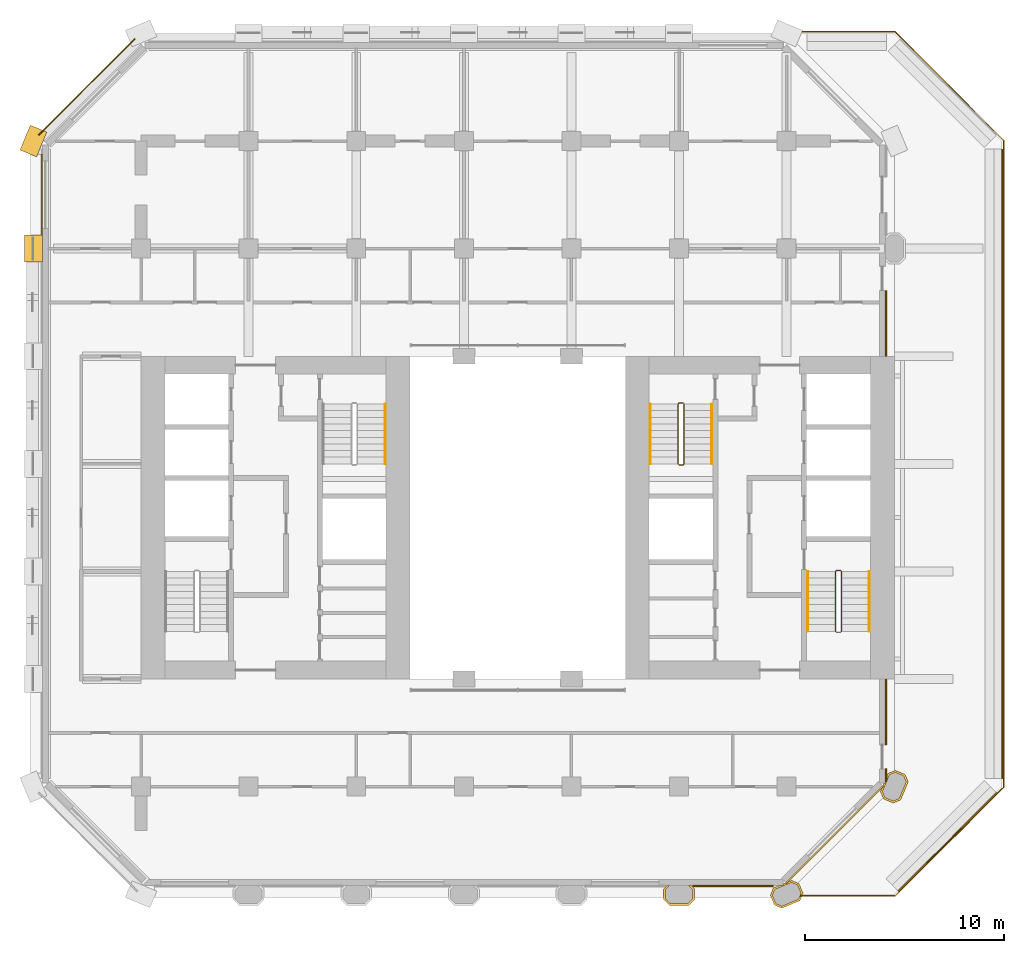
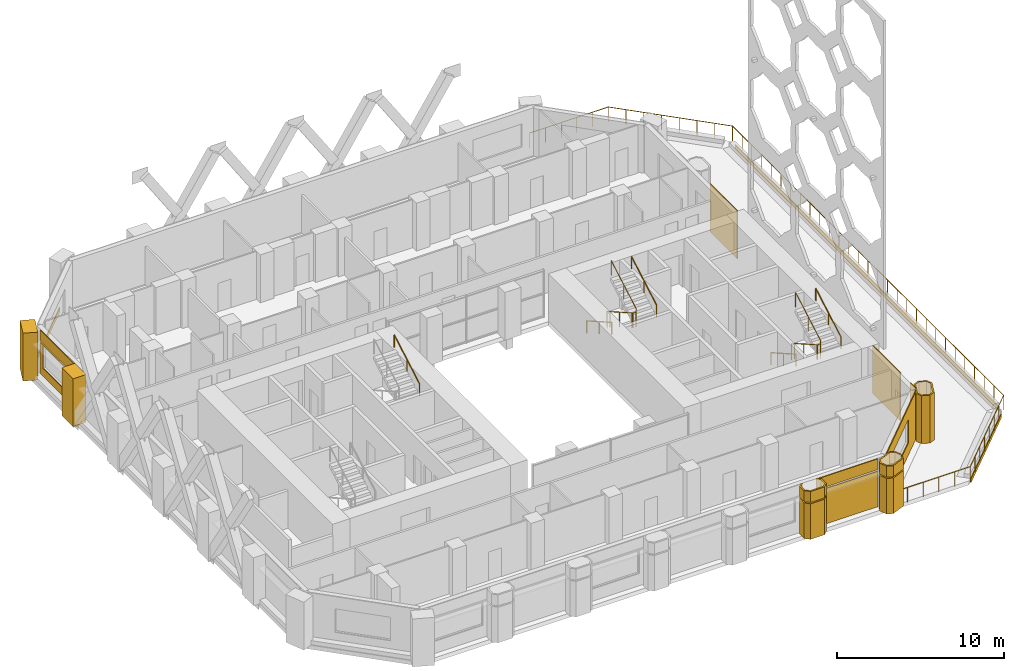
# One storey, part 13 of 14: 18 coverings, 8 railings.
"""IFC4 building model written with IfcOpenShell, lengths in metres."""

from ifc_helpers import new_model, si_unit, direction, frame, frame_2d, origin, origin_2d, place, context, subcontext, project, spatial, polyline, rectangle, circle, outline, extrude, material, layer, layer_set, type_object, element, save


model = new_model("IFC4")

# Units and contexts
model_context = context("Model", 3, precision=1e-05, world=origin(), true_north=direction((0.0, 1.0)))
body_context = subcontext(model_context, "Body", "Model", "MODEL_VIEW")
ifc_project = project(units=[si_unit("LENGTHUNIT", "METRE"), si_unit("AREAUNIT", "SQUARE_METRE"), si_unit("VOLUMEUNIT", "CUBIC_METRE"), si_unit("PLANEANGLEUNIT", "RADIAN"), si_unit("MASSUNIT", "GRAM", prefix="KILO")], contexts=[model_context])

# Site, building, storey
site_placement = place(None, origin())
site = spatial("IfcSite", under=ifc_project, at=site_placement, CompositionType="ELEMENT")
building_placement = place(site_placement, origin())
building = spatial("IfcBuilding", under=site, at=building_placement, Name="Tabaq Tower and Sports Hall", CompositionType="ELEMENT")
storey_placement = place(building_placement, frame((0.0, 0.0, 95.39990234375)))
storey = spatial("IfcBuildingStorey", under=building, at=storey_placement, Name="L22", CompositionType="ELEMENT", Elevation=95.39990234375)

# Coverings
ifc_material_1 = material(Name="Precast concrete C60/75", Category="concrete")
ifc_layer_1 = layer(ifc_material_1, 0.10009765625)
ifc_layer_set_1 = layer_set([ifc_layer_1], Name="Column cladding 100")
covering_type_1 = type_object("IfcCoveringType", Name="Column cladding 100", PredefinedType="CLADDING", material=ifc_layer_set_1)
covering_1_placement = place(storey_placement, origin())
element("IfcCovering", 1, at=covering_1_placement, inside=storey, type_object=covering_type_1, Name="Column cladding L22 PC-7B-O3", PredefinedType="CLADDING", context=body_context, shape_type="SweptSolid", body=[
    extrude(outline(polyline([(31.625244140625, 5.666259765625), (31.80859375, 5.849609375), (31.94921875, 5.849609375), (31.724609375, 5.625244140625), (31.724609375, 5.1748046875), (31.949951171875, 4.94970703125), (32.85009765625, 4.94970703125), (33.0751953125, 5.1748046875), (33.0751953125, 5.625244140625), (32.850830078125, 5.849609375), (32.9912109375, 5.849609375), (33.1748046875, 5.666259765625), (33.1748046875, 5.1337890625), (32.891357421875, 4.850341796875), (31.90869140625, 4.850341796875), (31.625244140625, 5.1337890625), (31.625244140625, 5.666259765625)])), origin(), (0.0, 0.0, 1.0), 2.60009765625),
])
covering_2_placement = place(storey_placement, frame((0.0, 0.0, 2.7001953125)))
element("IfcCovering", 2, at=covering_2_placement, inside=storey, type_object=covering_type_1, Name="Column cladding L22 PC-7B-O3 2", PredefinedType="CLADDING", context=body_context, shape_type="SweptSolid", body=[
    extrude(outline(polyline([(31.625244140625, 5.666259765625), (31.80859375, 5.849609375), (31.94921875, 5.849609375), (31.724609375, 5.625244140625), (31.724609375, 5.1748046875), (31.949951171875, 4.94970703125), (32.85009765625, 4.94970703125), (33.0751953125, 5.1748046875), (33.0751953125, 5.625244140625), (32.850830078125, 5.849609375), (32.9912109375, 5.849609375), (33.1748046875, 5.666259765625), (33.1748046875, 5.1337890625), (32.891357421875, 4.850341796875), (31.90869140625, 4.850341796875), (31.625244140625, 5.1337890625), (31.625244140625, 5.666259765625)])), origin(), (0.0, 0.0, 1.0), 0.7998046875),
])
covering_3_placement = place(storey_placement, origin())
element("IfcCovering", 3, at=covering_3_placement, inside=storey, type_object=covering_type_1, Name="Column cladding L22 PC-8B-O3", PredefinedType="CLADDING", context=body_context, shape_type="SweptSolid", body=[
    extrude(outline(polyline([(36.982421875, 5.349609375), (37.1357421875, 5.7197265625), (37.44921875, 5.849609375), (37.614013671875, 5.849609375), (37.614013671875, 5.91796875), (37.767578125, 5.9814453125), (37.799072265625, 5.9501953125), (37.875, 6.026123046875), (38.04345703125, 6.095947265625), (38.413818359375, 5.9423828125), (38.61767578125, 5.450439453125), (38.580322265625, 5.3603515625), (38.47265625, 5.3603515625), (38.510009765625, 5.450439453125), (38.337646484375, 5.866455078125), (38.04345703125, 5.98828125), (37.2119140625, 5.643798828125), (37.08984375, 5.349609375), (37.26220703125, 4.93359375), (37.556396484375, 4.811767578125), (38.38818359375, 5.15625), (38.439208984375, 5.27978515625), (38.546875, 5.27978515625), (38.46435546875, 5.080078125), (37.556396484375, 4.7041015625), (37.186279296875, 4.857421875), (36.982421875, 5.349609375)])), origin(), (0.0, 0.0, 1.0), 2.60009765625),
])
covering_4_placement = place(storey_placement, frame((0.0, 0.0, 2.7001953125)))
element("IfcCovering", 4, at=covering_4_placement, inside=storey, type_object=covering_type_1, Name="Column cladding L22 PC-8B-O3 2", PredefinedType="CLADDING", context=body_context, shape_type="SweptSolid", body=[
    extrude(outline(polyline([(36.982421875, 5.349609375), (37.1357421875, 5.7197265625), (37.44921875, 5.849609375), (37.614013671875, 5.849609375), (37.614013671875, 5.91796875), (37.767578125, 5.9814453125), (37.799072265625, 5.9501953125), (37.875, 6.026123046875), (38.04345703125, 6.095947265625), (38.413818359375, 5.9423828125), (38.61767578125, 5.450439453125), (38.580322265625, 5.3603515625), (38.47265625, 5.3603515625), (38.510009765625, 5.450439453125), (38.337646484375, 5.866455078125), (38.04345703125, 5.98828125), (37.2119140625, 5.643798828125), (37.08984375, 5.349609375), (37.26220703125, 4.93359375), (37.556396484375, 4.811767578125), (38.38818359375, 5.15625), (38.439208984375, 5.27978515625), (38.546875, 5.27978515625), (38.46435546875, 5.080078125), (37.556396484375, 4.7041015625), (37.186279296875, 4.857421875), (36.982421875, 5.349609375)])), origin(), (0.0, 0.0, 1.0), 0.7998046875),
])
covering_5_placement = place(storey_placement, origin())
element("IfcCovering", 5, at=covering_5_placement, inside=storey, type_object=covering_type_1, Name="Column cladding L22 PC-9C-O3", PredefinedType="CLADDING", context=body_context, shape_type="SweptSolid", body=[
    extrude(outline(polyline([(42.657470703125, 10.186279296875), (42.504150390625, 10.556396484375), (42.573974609375, 10.72509765625), (42.64990234375, 10.801025390625), (42.618408203125, 10.83251953125), (42.68212890625, 10.986083984375), (42.750244140625, 10.986083984375), (42.750244140625, 11.04296875), (42.810302734375, 11.04296875), (42.810302734375, 11.295654296875), (42.880126953125, 11.46435546875), (43.25048828125, 11.61767578125), (43.742431640625, 11.413818359375), (43.895751953125, 11.04345703125), (43.519775390625, 10.1357421875), (43.149658203125, 9.982421875), (42.657470703125, 10.186279296875)]), holes=[polyline([(43.66650390625, 11.337646484375), (43.25048828125, 11.510009765625), (42.956298828125, 11.38818359375), (42.61181640625, 10.556396484375), (42.733642578125, 10.26220703125), (43.149658203125, 10.08984375), (43.44384765625, 10.2119140625), (43.788330078125, 11.04345703125), (43.66650390625, 11.337646484375)])]), origin(), (0.0, 0.0, 1.0), 3.5),
])
ifc_material_2 = material(Name="Precast concrete C60/75", Category="concrete")
ifc_layer_2 = layer(ifc_material_2, 0.06005859375)
ifc_layer_set_2 = layer_set([ifc_layer_2], Name="Edge beam cladding 60")
covering_type_2 = type_object("IfcCoveringType", Name="Edge beam cladding 60", PredefinedType="CLADDING", material=ifc_layer_set_2)
covering_6_placement = place(storey_placement, frame((43.39794921875, 5.5556640625, -0.2998046875), z_axis=(0.0, 0.0, 1.0), x_axis=(0.70712425809, 0.707089303851, 0.0)))
element("IfcCovering", 6, at=covering_6_placement, inside=storey, type_object=covering_type_2, Name="Edge beam cladding L22 5", PredefinedType="CLADDING", context=body_context, shape_type="SweptSolid", body=[
    extrude(rectangle(XDim=6.984619140625, YDim=0.06005859375, at=frame_2d((3.4921875, 0.0))), origin(), (0.0, 0.0, 1.0), 0.2998046875),
])
covering_7_placement = place(storey_placement, frame((48.6298828125, 11.2021484375, -0.2998046875), z_axis=(0.0, 0.0, 1.0), x_axis=(0.0, 1.0, 0.0)))
element("IfcCovering", 7, at=covering_7_placement, inside=storey, type_object=covering_type_2, Name="Edge beam cladding L22 6", PredefinedType="CLADDING", context=body_context, shape_type="SweptSolid", body=[
    extrude(rectangle(XDim=31.595703125, YDim=0.06005859375, at=frame_2d((15.7978515625, 0.0))), origin(), (0.0, 0.0, 1.0), 0.2998046875),
])
covering_8_placement = place(storey_placement, frame((5.094482421875, 48.3369140625, -0.2998046875), z_axis=(0.0, 0.0, 1.0), x_axis=(-0.707106781187, -0.707106781187, 0.0)))
element("IfcCovering", 8, at=covering_8_placement, inside=storey, type_object=covering_type_2, Name="Edge beam cladding L22 2", PredefinedType="CLADDING", context=body_context, shape_type="SweptSolid", body=[
    extrude(rectangle(XDim=6.83251953125, YDim=0.06005859375, at=frame_2d((3.416259765625, 0.0))), origin(), (0.0, 0.0, 1.0), 0.2998046875),
])

# Railing
ifc_material_3 = material(Name="Stainless steel S316 and laminated glass", Category="steel")
railing_type_1 = type_object("IfcRailingType", Name="Guard 1100 steel and glass", PredefinedType="GUARDRAIL", material=ifc_material_3)
railing_1_placement = place(storey_placement, frame((37.800048828125, 48.679931640625, 0.0)))
element("IfcRailing", 9, at=railing_1_placement, inside=storey, type_object=railing_type_1, Name="Terrace guard L22", PredefinedType="GUARDRAIL", context=body_context, shape_type="SweptSolid", body=[
    extrude(circle(Radius=0.02490234375, at=origin_2d()), frame((0.0, 0.0, 1.0751953125), z_axis=(1.0, 0.0, 0.0), x_axis=(0.0, 1.0, 0.0)), (0.0, 0.0, 1.0), 5.43310546875),
    extrude(circle(Radius=0.02490234375, at=origin_2d()), frame((5.43310546875, 0.0, 1.0751953125), z_axis=(0.707106781187, -0.707106781187, 0.0), x_axis=(0.707106781187, 0.707106781187, 0.0)), (0.0, 0.0, 1.0), 7.702880859375),
    extrude(circle(Radius=0.02490234375, at=origin_2d()), frame((10.8798828125, -5.44677734375, 1.0751953125), z_axis=(0.0, -1.0, 0.0), x_axis=(1.0, 0.0, 0.0)), (0.0, 0.0, 1.0), 32.46630859375),
    extrude(circle(Radius=0.02490234375, at=origin_2d()), frame((10.8798828125, -37.9130859375, 1.0751953125), z_axis=(-0.707106781187, -0.707106781187, 0.0), x_axis=(0.707106781187, -0.707106781187, 0.0)), (0.0, 0.0, 1.0), 7.702880859375),
    extrude(circle(Radius=0.02490234375, at=origin_2d()), frame((5.43310546875, -43.35986328125, 1.0751953125), z_axis=(-1.0, 0.0, 0.0), x_axis=(0.0, -1.0, 0.0)), (0.0, 0.0, 1.0), 5.43310546875),
    extrude(circle(Radius=0.02001953125, at=origin_2d()), origin(), (0.0, 0.0, 1.0), 1.050048828125),
    extrude(circle(Radius=0.02001953125, at=origin_2d()), frame((1.086669921875, 0.0, 0.0)), (0.0, 0.0, 1.0), 1.050048828125),
    extrude(circle(Radius=0.02001953125, at=origin_2d()), frame((2.17333984375, 0.0, 0.0)), (0.0, 0.0, 1.0), 1.050048828125),
    extrude(circle(Radius=0.02001953125, at=origin_2d()), frame((3.259765625, 0.0, 0.0)), (0.0, 0.0, 1.0), 1.050048828125),
    extrude(circle(Radius=0.02001953125, at=origin_2d()), frame((4.346435546875, 0.0, 0.0)), (0.0, 0.0, 1.0), 1.050048828125),
    extrude(circle(Radius=0.02001953125, at=origin_2d()), frame((5.43310546875, 0.0, 0.0)), (0.0, 0.0, 1.0), 1.050048828125),
    extrude(circle(Radius=0.02001953125, at=origin_2d()), frame((6.211181640625, -0.778076171875, 0.0)), (0.0, 0.0, 1.0), 1.050048828125),
    extrude(circle(Radius=0.02001953125, at=origin_2d()), frame((6.9892578125, -1.55615234375, 0.0)), (0.0, 0.0, 1.0), 1.050048828125),
    extrude(circle(Radius=0.02001953125, at=origin_2d()), frame((7.767333984375, -2.334228515625, 0.0)), (0.0, 0.0, 1.0), 1.050048828125),
    extrude(circle(Radius=0.02001953125, at=origin_2d()), frame((8.545654296875, -3.112548828125, 0.0)), (0.0, 0.0, 1.0), 1.050048828125),
    extrude(circle(Radius=0.02001953125, at=origin_2d()), frame((9.32373046875, -3.890625, 0.0)), (0.0, 0.0, 1.0), 1.050048828125),
    extrude(circle(Radius=0.02001953125, at=origin_2d()), frame((10.101806640625, -4.668701171875, 0.0)), (0.0, 0.0, 1.0), 1.050048828125),
    extrude(circle(Radius=0.02001953125, at=origin_2d()), frame((10.8798828125, -5.44677734375, 0.0)), (0.0, 0.0, 1.0), 1.050048828125),
    extrude(circle(Radius=0.02001953125, at=origin_2d()), frame((10.8798828125, -6.606201171875, 0.0)), (0.0, 0.0, 1.0), 1.050048828125),
    extrude(circle(Radius=0.02001953125, at=origin_2d()), frame((10.8798828125, -7.765869140625, 0.0)), (0.0, 0.0, 1.0), 1.050048828125),
    extrude(circle(Radius=0.02001953125, at=origin_2d()), frame((10.8798828125, -8.92529296875, 0.0)), (0.0, 0.0, 1.0), 1.050048828125),
    extrude(circle(Radius=0.02001953125, at=origin_2d()), frame((10.8798828125, -10.084716796875, 0.0)), (0.0, 0.0, 1.0), 1.050048828125),
    extrude(circle(Radius=0.02001953125, at=origin_2d()), frame((10.8798828125, -11.244384765625, 0.0)), (0.0, 0.0, 1.0), 1.050048828125),
    extrude(circle(Radius=0.02001953125, at=origin_2d()), frame((10.8798828125, -12.40380859375, 0.0)), (0.0, 0.0, 1.0), 1.050048828125),
    extrude(circle(Radius=0.02001953125, at=origin_2d()), frame((10.8798828125, -13.5634765625, 0.0)), (0.0, 0.0, 1.0), 1.050048828125),
    extrude(circle(Radius=0.02001953125, at=origin_2d()), frame((10.8798828125, -14.722900390625, 0.0)), (0.0, 0.0, 1.0), 1.050048828125),
    extrude(circle(Radius=0.02001953125, at=origin_2d()), frame((10.8798828125, -15.88232421875, 0.0)), (0.0, 0.0, 1.0), 1.050048828125),
    extrude(circle(Radius=0.02001953125, at=origin_2d()), frame((10.8798828125, -17.0419921875, 0.0)), (0.0, 0.0, 1.0), 1.050048828125),
    extrude(circle(Radius=0.02001953125, at=origin_2d()), frame((10.8798828125, -18.201416015625, 0.0)), (0.0, 0.0, 1.0), 1.050048828125),
    extrude(circle(Radius=0.02001953125, at=origin_2d()), frame((10.8798828125, -19.36083984375, 0.0)), (0.0, 0.0, 1.0), 1.050048828125),
    extrude(circle(Radius=0.02001953125, at=origin_2d()), frame((10.8798828125, -20.5205078125, 0.0)), (0.0, 0.0, 1.0), 1.050048828125),
    extrude(circle(Radius=0.02001953125, at=origin_2d()), frame((10.8798828125, -21.679931640625, 0.0)), (0.0, 0.0, 1.0), 1.050048828125),
    extrude(circle(Radius=0.02001953125, at=origin_2d()), frame((10.8798828125, -22.83935546875, 0.0)), (0.0, 0.0, 1.0), 1.050048828125),
    extrude(circle(Radius=0.02001953125, at=origin_2d()), frame((10.8798828125, -23.9990234375, 0.0)), (0.0, 0.0, 1.0), 1.050048828125),
    extrude(circle(Radius=0.02001953125, at=origin_2d()), frame((10.8798828125, -25.158447265625, 0.0)), (0.0, 0.0, 1.0), 1.050048828125),
    extrude(circle(Radius=0.02001953125, at=origin_2d()), frame((10.8798828125, -26.31787109375, 0.0)), (0.0, 0.0, 1.0), 1.050048828125),
    extrude(circle(Radius=0.02001953125, at=origin_2d()), frame((10.8798828125, -27.4775390625, 0.0)), (0.0, 0.0, 1.0), 1.050048828125),
    extrude(circle(Radius=0.02001953125, at=origin_2d()), frame((10.8798828125, -28.636962890625, 0.0)), (0.0, 0.0, 1.0), 1.050048828125),
    extrude(circle(Radius=0.02001953125, at=origin_2d()), frame((10.8798828125, -29.79638671875, 0.0)), (0.0, 0.0, 1.0), 1.050048828125),
    extrude(circle(Radius=0.02001953125, at=origin_2d()), frame((10.8798828125, -30.9560546875, 0.0)), (0.0, 0.0, 1.0), 1.050048828125),
    extrude(circle(Radius=0.02001953125, at=origin_2d()), frame((10.8798828125, -32.115478515625, 0.0)), (0.0, 0.0, 1.0), 1.050048828125),
    extrude(circle(Radius=0.02001953125, at=origin_2d()), frame((10.8798828125, -33.275146484375, 0.0)), (0.0, 0.0, 1.0), 1.050048828125),
    extrude(circle(Radius=0.02001953125, at=origin_2d()), frame((10.8798828125, -34.4345703125, 0.0)), (0.0, 0.0, 1.0), 1.050048828125),
    extrude(circle(Radius=0.02001953125, at=origin_2d()), frame((10.8798828125, -35.593994140625, 0.0)), (0.0, 0.0, 1.0), 1.050048828125),
    extrude(circle(Radius=0.02001953125, at=origin_2d()), frame((10.8798828125, -36.753662109375, 0.0)), (0.0, 0.0, 1.0), 1.050048828125),
    extrude(circle(Radius=0.02001953125, at=origin_2d()), frame((10.8798828125, -37.9130859375, 0.0)), (0.0, 0.0, 1.0), 1.050048828125),
    extrude(circle(Radius=0.02001953125, at=origin_2d()), frame((10.101806640625, -38.691162109375, 0.0)), (0.0, 0.0, 1.0), 1.050048828125),
    extrude(circle(Radius=0.02001953125, at=origin_2d()), frame((9.32373046875, -39.46923828125, 0.0)), (0.0, 0.0, 1.0), 1.050048828125),
    extrude(circle(Radius=0.02001953125, at=origin_2d()), frame((8.545654296875, -40.247314453125, 0.0)), (0.0, 0.0, 1.0), 1.050048828125),
    extrude(circle(Radius=0.02001953125, at=origin_2d()), frame((7.767333984375, -41.025634765625, 0.0)), (0.0, 0.0, 1.0), 1.050048828125),
    extrude(circle(Radius=0.02001953125, at=origin_2d()), frame((6.9892578125, -41.8037109375, 0.0)), (0.0, 0.0, 1.0), 1.050048828125),
    extrude(circle(Radius=0.02001953125, at=origin_2d()), frame((6.211181640625, -42.581787109375, 0.0)), (0.0, 0.0, 1.0), 1.050048828125),
    extrude(circle(Radius=0.02001953125, at=origin_2d()), frame((5.43310546875, -43.35986328125, 0.0)), (0.0, 0.0, 1.0), 1.050048828125),
    extrude(circle(Radius=0.02001953125, at=origin_2d()), frame((4.346435546875, -43.35986328125, 0.0)), (0.0, 0.0, 1.0), 1.050048828125),
    extrude(circle(Radius=0.02001953125, at=origin_2d()), frame((3.259765625, -43.35986328125, 0.0)), (0.0, 0.0, 1.0), 1.050048828125),
    extrude(circle(Radius=0.02001953125, at=origin_2d()), frame((2.17333984375, -43.35986328125, 0.0)), (0.0, 0.0, 1.0), 1.050048828125),
    extrude(circle(Radius=0.02001953125, at=origin_2d()), frame((1.086669921875, -43.35986328125, 0.0)), (0.0, 0.0, 1.0), 1.050048828125),
    extrude(circle(Radius=0.02001953125, at=origin_2d()), frame((0.0, -43.35986328125, 0.0)), (0.0, 0.0, 1.0), 1.050048828125),
])

# Coverings
ifc_material_4 = material(Name="White precast concrete C60/75", Category="concrete")
covering_type_3 = type_object("IfcCoveringType", Name="Pier cladding hung 1350x900", PredefinedType="CLADDING", material=ifc_material_4)
for number, where, z_axis, x_axis, name in (
    (10, (0.0, 38.47509765625, 0.0), (0.0, 0.0, 1.0), (0.0, -1.0, 0.0), "Hung pier cladding 0/7"),
    (11, (0.25830078125, 43.82373046875, 0.0), (0.0, 0.0, 1.0), (-0.382649923473, -0.923893411637, 0.0), "Hung pier cladding 0/8"),
):
    element("IfcCovering", number, at=place(storey_placement, frame(where, z_axis=z_axis, x_axis=x_axis)), inside=storey, type_object=covering_type_3, Name=name, PredefinedType="CLADDING", context=body_context, shape_type="SweptSolid", body=[
        extrude(rectangle(XDim=1.35009765625, YDim=0.89990234375, at=frame_2d((0.675048828125, 0.0))), origin(), (0.0, 0.0, 1.0), 3.5),
    ])

# Railings
ifc_material_5 = material(Name="Stainless steel", Category="steel")
railing_type_2 = type_object("IfcRailingType", Name="Stair guard", PredefinedType="GUARDRAIL", material=ifc_material_5)
railing_2_placement = place(storey_placement, frame((40.5, 21.64990234375, 0.0)))
element("IfcRailing", 12, at=railing_2_placement, inside=storey, type_object=railing_type_2, Name="L22 ST3 stair guard 1", PredefinedType="GUARDRAIL", context=body_context, shape_type="SweptSolid", body=[
    extrude(circle(Radius=0.02392578125, at=origin_2d()), frame((0.0, 0.0, 1.076171875), z_axis=(-1.0, 0.0, 0.0), x_axis=(0.0, -1.0, 0.0)), (0.0, 0.0, 1.0), 0.199951171875),
    extrude(circle(Radius=0.02392578125, at=origin_2d()), frame((-0.199951171875, 0.0, 1.076171875), z_axis=(-0.246704845944, -0.245501407671, 0.937478414588), x_axis=(0.705375805398, -0.708833529934, 0.0)), (0.0, 0.0, 1.0), 0.202880859375),
    extrude(circle(Radius=0.02392578125, at=origin_2d()), frame((-0.25, -0.0498046875, 1.26611328125), z_axis=(0.0, -0.868782136927, 0.495194505781), x_axis=(1.0, 0.0, 0.0)), (0.0, 0.0, 1.0), 3.453125),
    extrude(circle(Radius=0.02392578125, at=origin_2d()), frame((-0.25, -3.0498046875, 2.97607421875), z_axis=(0.707106781187, -0.707106781187, 0.0), x_axis=(0.707106781187, 0.707106781187, 0.0)), (0.0, 0.0, 1.0), 0.07080078125),
    extrude(circle(Radius=0.02392578125, at=origin_2d()), frame((-0.199951171875, -3.099853515625, 2.97607421875), z_axis=(1.0, 0.0, 0.0), x_axis=(0.0, 1.0, 0.0)), (0.0, 0.0, 1.0), 0.199951171875),
    extrude(circle(Radius=0.02392578125, at=origin_2d()), frame((0.0, -3.099853515625, 2.97607421875), z_axis=(0.246910188598, 0.246910188598, 0.937054276727), x_axis=(-0.707106781187, 0.707106781187, 0.0)), (0.0, 0.0, 1.0), 0.20263671875),
    extrude(circle(Radius=0.02392578125, at=origin_2d()), frame((0.050048828125, -3.0498046875, 3.166015625), z_axis=(0.0, 0.868782136927, 0.495194505781), x_axis=(-1.0, 0.0, 0.0)), (0.0, 0.0, 1.0), 3.453125),
    extrude(circle(Radius=0.02099609375, at=origin_2d()), origin(), (0.0, 0.0, 1.0), 1.052001953125),
    extrude(circle(Radius=0.02099609375, at=origin_2d()), frame((-0.199951171875, 0.0, 0.0)), (0.0, 0.0, 1.0), 1.052001953125),
    extrude(circle(Radius=0.02099609375, at=origin_2d()), frame((-0.25, -0.0498046875, 0.190185546875)), (0.0, 0.0, 1.0), 1.052001953125),
    extrude(circle(Radius=0.02099609375, at=origin_2d()), frame((-0.25, -1.5498046875, 1.045166015625)), (0.0, 0.0, 1.0), 1.052001953125),
    extrude(circle(Radius=0.02099609375, at=origin_2d()), frame((-0.25, -3.0498046875, 1.900146484375)), (0.0, 0.0, 1.0), 1.052001953125),
    extrude(circle(Radius=0.02099609375, at=origin_2d()), frame((-0.199951171875, -3.099853515625, 1.900146484375)), (0.0, 0.0, 1.0), 1.052001953125),
    extrude(circle(Radius=0.02099609375, at=origin_2d()), frame((0.0, -3.099853515625, 1.900146484375)), (0.0, 0.0, 1.0), 1.052001953125),
    extrude(circle(Radius=0.02099609375, at=origin_2d()), frame((0.050048828125, -3.0498046875, 2.090087890625)), (0.0, 0.0, 1.0), 1.052001953125),
    extrude(circle(Radius=0.02099609375, at=origin_2d()), frame((0.050048828125, -1.5498046875, 2.945068359375)), (0.0, 0.0, 1.0), 1.052001953125),
    extrude(circle(Radius=0.02099609375, at=origin_2d()), frame((0.050048828125, -0.0498046875, 3.800048828125)), (0.0, 0.0, 1.0), 1.052001953125),
])
railing_3_placement = place(storey_placement, frame((32.60009765625, 30.050048828125, 0.0)))
element("IfcRailing", 13, at=railing_3_placement, inside=storey, type_object=railing_type_2, Name="L22 ST4 stair guard 1", PredefinedType="GUARDRAIL", context=body_context, shape_type="SweptSolid", body=[
    extrude(circle(Radius=0.02392578125, at=origin_2d()), frame((0.0, 0.0, 1.076171875), z_axis=(-1.0, 0.0, 0.0), x_axis=(0.0, -1.0, 0.0)), (0.0, 0.0, 1.0), 0.2001953125),
    extrude(circle(Radius=0.02392578125, at=origin_2d()), frame((-0.2001953125, 0.0, 1.076171875), z_axis=(-0.245501407671, -0.246704845944, 0.937478414588), x_axis=(0.708833529934, -0.705375805398, 0.0)), (0.0, 0.0, 1.0), 0.202880859375),
    extrude(circle(Radius=0.02392578125, at=origin_2d()), frame((-0.25, -0.050048828125, 1.26611328125), z_axis=(0.0, -0.868782136927, 0.495194505781), x_axis=(1.0, 0.0, 0.0)), (0.0, 0.0, 1.0), 3.453125),
    extrude(circle(Radius=0.02392578125, at=origin_2d()), frame((-0.25, -3.050048828125, 2.97607421875), z_axis=(0.705375805398, -0.708833529934, 0.0), x_axis=(0.708833529934, 0.705375805398, 0.0)), (0.0, 0.0, 1.0), 0.070556640625),
    extrude(circle(Radius=0.02392578125, at=origin_2d()), frame((-0.2001953125, -3.10009765625, 2.97607421875), z_axis=(1.0, 0.0, 0.0), x_axis=(0.0, 1.0, 0.0)), (0.0, 0.0, 1.0), 0.2001953125),
    extrude(circle(Radius=0.02392578125, at=origin_2d()), frame((0.0, -3.10009765625, 2.97607421875), z_axis=(0.245778672949, 0.246983470365, 0.937332389972), x_axis=(-0.708833529934, 0.705375805398, 0.0)), (0.0, 0.0, 1.0), 0.20263671875),
    extrude(circle(Radius=0.02392578125, at=origin_2d()), frame((0.0498046875, -3.050048828125, 3.166015625), z_axis=(0.0, 0.868782136927, 0.495194505781), x_axis=(-1.0, 0.0, 0.0)), (0.0, 0.0, 1.0), 3.453125),
    extrude(circle(Radius=0.02099609375, at=origin_2d()), origin(), (0.0, 0.0, 1.0), 1.052001953125),
    extrude(circle(Radius=0.02099609375, at=origin_2d()), frame((-0.2001953125, 0.0, 0.0)), (0.0, 0.0, 1.0), 1.052001953125),
    extrude(circle(Radius=0.02099609375, at=origin_2d()), frame((-0.25, -0.050048828125, 0.190185546875)), (0.0, 0.0, 1.0), 1.052001953125),
    extrude(circle(Radius=0.02099609375, at=origin_2d()), frame((-0.25, -1.550048828125, 1.045166015625)), (0.0, 0.0, 1.0), 1.052001953125),
    extrude(circle(Radius=0.02099609375, at=origin_2d()), frame((-0.25, -3.050048828125, 1.900146484375)), (0.0, 0.0, 1.0), 1.052001953125),
    extrude(circle(Radius=0.02099609375, at=origin_2d()), frame((-0.2001953125, -3.10009765625, 1.900146484375)), (0.0, 0.0, 1.0), 1.052001953125),
    extrude(circle(Radius=0.02099609375, at=origin_2d()), frame((0.0, -3.10009765625, 1.900146484375)), (0.0, 0.0, 1.0), 1.052001953125),
    extrude(circle(Radius=0.02099609375, at=origin_2d()), frame((0.0498046875, -3.050048828125, 2.090087890625)), (0.0, 0.0, 1.0), 1.052001953125),
    extrude(circle(Radius=0.02099609375, at=origin_2d()), frame((0.0498046875, -1.550048828125, 2.945068359375)), (0.0, 0.0, 1.0), 1.052001953125),
    extrude(circle(Radius=0.02099609375, at=origin_2d()), frame((0.0498046875, -0.050048828125, 3.800048828125)), (0.0, 0.0, 1.0), 1.052001953125),
])
ifc_material_6 = material(Name="Stainless steel", Category="steel")
railing_type_3 = type_object("IfcRailingType", Name="Stair handrail", PredefinedType="HANDRAIL", material=ifc_material_6)
railing_4_placement = place(storey_placement, frame((17.64990234375, 27.0, 2.090087890625)))
element("IfcRailing", 14, at=railing_4_placement, inside=storey, type_object=railing_type_3, Name="L22 ST2 stair handrail 2", PredefinedType="HANDRAIL", context=body_context, shape_type="SweptSolid", body=[
    extrude(circle(Radius=0.02392578125, at=origin_2d()), frame((0.0, 0.0, 0.8759765625), z_axis=(0.0, 0.868782136927, 0.495194505781), x_axis=(-1.0, 0.0, 0.0)), (0.0, 0.0, 1.0), 3.453125),
    extrude(circle(Radius=0.02099609375, at=origin_2d()), origin(), (0.0, 0.0, 1.0), 0.851806640625),
    extrude(circle(Radius=0.02099609375, at=origin_2d()), frame((0.0, 1.5, 0.85498046875)), (0.0, 0.0, 1.0), 0.851806640625),
    extrude(circle(Radius=0.02099609375, at=origin_2d()), frame((0.0, 3.0, 1.7099609375)), (0.0, 0.0, 1.0), 0.851806640625),
])
railing_5_placement = place(storey_placement, frame((38.85009765625, 21.60009765625, 0.190185546875)))
element("IfcRailing", 15, at=railing_5_placement, inside=storey, type_object=railing_type_3, Name="L22 ST3 stair handrail 1", PredefinedType="HANDRAIL", context=body_context, shape_type="SweptSolid", body=[
    extrude(circle(Radius=0.02392578125, at=origin_2d()), frame((0.0, 0.0, 0.8759765625), z_axis=(0.0, -0.868782136927, 0.495194505781), x_axis=(1.0, 0.0, 0.0)), (0.0, 0.0, 1.0), 3.453125),
    extrude(circle(Radius=0.02099609375, at=origin_2d()), origin(), (0.0, 0.0, 1.0), 0.851806640625),
    extrude(circle(Radius=0.02099609375, at=origin_2d()), frame((0.0, -1.5, 0.85498046875)), (0.0, 0.0, 1.0), 0.851806640625),
    extrude(circle(Radius=0.02099609375, at=origin_2d()), frame((0.0, -3.0, 1.7099609375)), (0.0, 0.0, 1.0), 0.851806640625),
])
railing_6_placement = place(storey_placement, frame((41.949951171875, 18.60009765625, 2.090087890625)))
element("IfcRailing", 16, at=railing_6_placement, inside=storey, type_object=railing_type_3, Name="L22 ST3 stair handrail 2", PredefinedType="HANDRAIL", context=body_context, shape_type="SweptSolid", body=[
    extrude(circle(Radius=0.02392578125, at=origin_2d()), frame((0.0, 0.0, 0.8759765625), z_axis=(0.0, 0.868782136927, 0.495194505781), x_axis=(-1.0, 0.0, 0.0)), (0.0, 0.0, 1.0), 3.453125),
    extrude(circle(Radius=0.02099609375, at=origin_2d()), origin(), (0.0, 0.0, 1.0), 0.851806640625),
    extrude(circle(Radius=0.02099609375, at=origin_2d()), frame((0.0, 1.5, 0.85498046875)), (0.0, 0.0, 1.0), 0.851806640625),
    extrude(circle(Radius=0.02099609375, at=origin_2d()), frame((0.0, 3.0, 1.7099609375)), (0.0, 0.0, 1.0), 0.851806640625),
])
railing_7_placement = place(storey_placement, frame((30.949951171875, 30.0, 0.190185546875)))
element("IfcRailing", 17, at=railing_7_placement, inside=storey, type_object=railing_type_3, Name="L22 ST4 stair handrail 1", PredefinedType="HANDRAIL", context=body_context, shape_type="SweptSolid", body=[
    extrude(circle(Radius=0.02392578125, at=origin_2d()), frame((0.0, 0.0, 0.8759765625), z_axis=(0.0, -0.868782136927, 0.495194505781), x_axis=(1.0, 0.0, 0.0)), (0.0, 0.0, 1.0), 3.453125),
    extrude(circle(Radius=0.02099609375, at=origin_2d()), origin(), (0.0, 0.0, 1.0), 0.851806640625),
    extrude(circle(Radius=0.02099609375, at=origin_2d()), frame((0.0, -1.5, 0.85498046875)), (0.0, 0.0, 1.0), 0.851806640625),
    extrude(circle(Radius=0.02099609375, at=origin_2d()), frame((0.0, -3.0, 1.7099609375)), (0.0, 0.0, 1.0), 0.851806640625),
])
railing_8_placement = place(storey_placement, frame((34.050048828125, 27.0, 2.090087890625)))
element("IfcRailing", 18, at=railing_8_placement, inside=storey, type_object=railing_type_3, Name="L22 ST4 stair handrail 2", PredefinedType="HANDRAIL", context=body_context, shape_type="SweptSolid", body=[
    extrude(circle(Radius=0.02392578125, at=origin_2d()), frame((0.0, 0.0, 0.8759765625), z_axis=(0.0, 0.868782136927, 0.495194505781), x_axis=(-1.0, 0.0, 0.0)), (0.0, 0.0, 1.0), 3.453125),
    extrude(circle(Radius=0.02099609375, at=origin_2d()), origin(), (0.0, 0.0, 1.0), 0.851806640625),
    extrude(circle(Radius=0.02099609375, at=origin_2d()), frame((0.0, 1.5, 0.85498046875)), (0.0, 0.0, 1.0), 0.851806640625),
    extrude(circle(Radius=0.02099609375, at=origin_2d()), frame((0.0, 3.0, 1.7099609375)), (0.0, 0.0, 1.0), 0.851806640625),
])

# Coverings
ifc_material_7 = material(Name="Precast concrete C60/75", Category="concrete")
ifc_layer_3 = layer(ifc_material_7, 0.06005859375)
ifc_layer_set_3 = layer_set([ifc_layer_3], Name="White precast cladding panel 60 C60/75")
covering_type_4 = type_object("IfcCoveringType", Name="White precast cladding panel 60 C60/75", PredefinedType="CLADDING", material=ifc_layer_set_3)
covering_9_placement = place(storey_placement, frame((33.0849609375, 5.820068359375, 0.0), z_axis=(0.0, 0.0, 1.0), x_axis=(1.0, 0.0, 0.0)))
element("IfcCovering", 19, at=covering_9_placement, inside=storey, type_object=covering_type_4, Name="White precast cladding panel L22 wall00 11", PredefinedType="CLADDING", context=body_context, shape_type="SweptSolid", body=[
    extrude(rectangle(XDim=4.050048828125, YDim=0.06005859375, at=frame_2d((2.02490234375, 0.0))), origin(), (0.0, 0.0, 1.0), 2.590087890625),
])
covering_10_placement = place(storey_placement, frame((33.0849609375, 5.820068359375, 2.710205078125), z_axis=(0.0, 0.0, 1.0), x_axis=(1.0, 0.0, 0.0)))
element("IfcCovering", 20, at=covering_10_placement, inside=storey, type_object=covering_type_4, Name="White precast cladding panel L22 wall00 12", PredefinedType="CLADDING", context=body_context, shape_type="SweptSolid", body=[
    extrude(rectangle(XDim=4.050048828125, YDim=0.06005859375, at=frame_2d((2.02490234375, 0.0))), origin(), (0.0, 0.0, 1.0), 0.789794921875),
])
covering_11_placement = place(storey_placement, frame((37.77783203125, 5.9716796875, 0.0), z_axis=(0.0, 0.0, 1.0), x_axis=(0.707088985397, 0.707124576528, 0.0)))
element("IfcCovering", 21, at=covering_11_placement, inside=storey, type_object=covering_type_4, Name="White precast cladding panel L22 wall01", PredefinedType="CLADDING", context=body_context, shape_type="SweptSolid", body=[
    extrude(outline(polyline([(0.0, 0.0), (6.859619140625, 0.0), (6.859619140625, 3.5), (0.0, 3.5), (0.0, 0.0)]), holes=[polyline([(1.7197265625, 0.89013671875), (1.7197265625, 2.610107421875), (5.139892578125, 2.610107421875), (5.139892578125, 0.89013671875), (1.7197265625, 0.89013671875)])]), frame((0.0, 0.030029296875, 0.0), z_axis=(0.0, -1.0, 0.0), x_axis=(1.0, 0.0, 0.0)), (0.0, 0.0, 1.0), 0.06005859375),
])
covering_12_placement = place(storey_placement, frame((42.780029296875, 11.043212890625, 0.0), z_axis=(0.0, 0.0, 1.0), x_axis=(0.0, 1.0, 0.0)))
element("IfcCovering", 22, at=covering_12_placement, inside=storey, type_object=covering_type_4, Name="White precast cladding panel L22 wall02", PredefinedType="CLADDING", context=body_context, shape_type="SweptSolid", body=[
    extrude(rectangle(XDim=0.646728515625, YDim=0.06005859375, at=frame_2d((0.3232421875, 0.0))), origin(), (0.0, 0.0, 1.0), 3.5),
])
for number, where, z_axis, x_axis, name in (
    (23, (42.780029296875, 12.909912109375, 0.0), (0.0, 0.0, 1.0), (0.0, 1.0, 0.0), "White precast cladding panel L22 wall02 2"),
    (24, (42.780029296875, 32.39990234375, 0.0), (0.0, 0.0, 1.0), (0.0, 1.0, 0.0), "White precast cladding panel L22 wall02-1"),
):
    element("IfcCovering", number, at=place(storey_placement, frame(where, z_axis=z_axis, x_axis=x_axis)), inside=storey, type_object=covering_type_4, Name=name, PredefinedType="CLADDING", context=body_context, shape_type="SweptSolid", body=[
        extrude(rectangle(XDim=3.2900390625, YDim=0.06005859375, at=frame_2d((1.64501953125, 0.0))), origin(), (0.0, 0.0, 1.0), 3.5),
    ])
covering_13_placement = place(storey_placement, frame((0.419921875, 42.534912109375, 0.31005859375), z_axis=(0.0, 0.0, 1.0), x_axis=(0.0, -1.0, 0.0)))
element("IfcCovering", 25, at=covering_13_placement, inside=storey, type_object=covering_type_4, Name="White precast cladding panel L22 wall06", PredefinedType="CLADDING", context=body_context, shape_type="SweptSolid", body=[
    extrude(outline(polyline([(0.0, 0.0), (4.0498046875, 0.0), (4.0498046875, 2.280029296875), (0.0, 2.280029296875), (0.0, 0.0)]), holes=[polyline([(3.7451171875, 0.580078125), (0.324951171875, 0.580078125), (0.324951171875, 2.25), (3.7451171875, 2.25), (3.7451171875, 0.580078125)])]), frame((0.0, 0.030029296875, 0.0), z_axis=(0.0, -1.0, 0.0), x_axis=(1.0, 0.0, 0.0)), (0.0, 0.0, 1.0), 0.06005859375),
])
covering_14_placement = place(storey_placement, frame((0.419921875, 42.534912109375, 2.710205078125), z_axis=(0.0, 0.0, 1.0), x_axis=(0.0, -1.0, 0.0)))
element("IfcCovering", 26, at=covering_14_placement, inside=storey, type_object=covering_type_4, Name="White precast cladding panel L22 wall06 2", PredefinedType="CLADDING", context=body_context, shape_type="SweptSolid", body=[
    extrude(rectangle(XDim=4.0498046875, YDim=0.06005859375, at=frame_2d((2.02490234375, 0.0))), origin(), (0.0, 0.0, 1.0), 0.789794921875),
])

save(model, "model.ifc")
